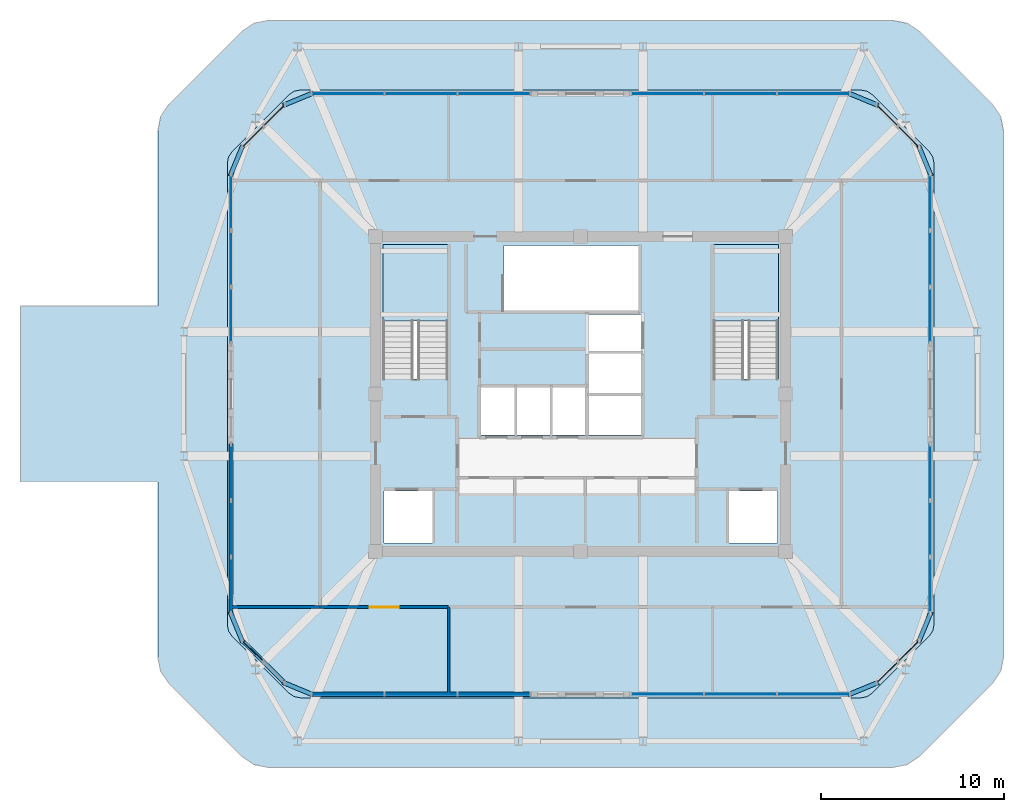
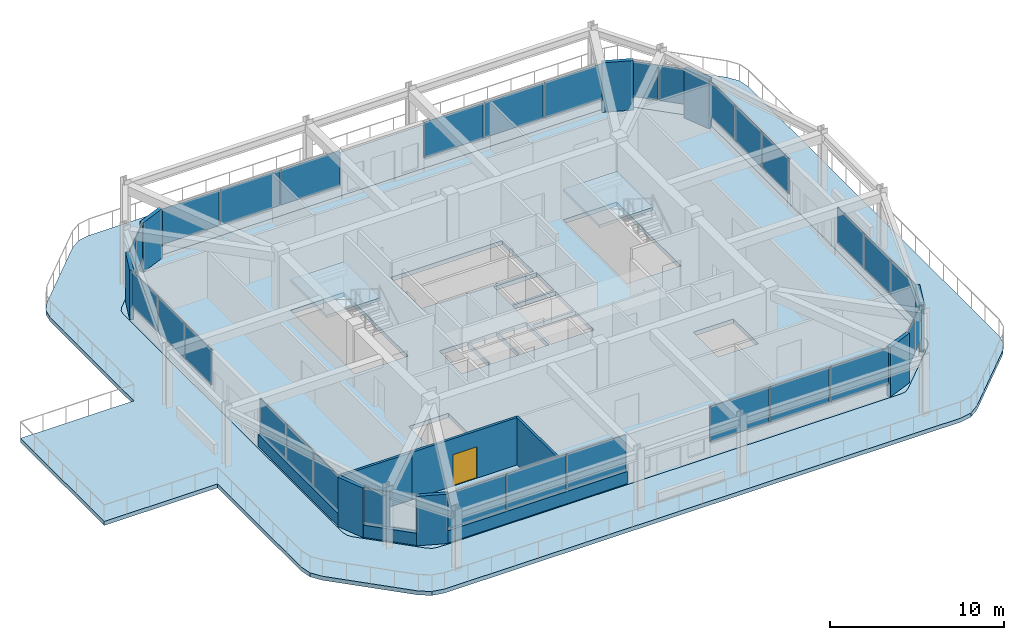
# One storey, part 4 of 10: 39 plates, 6 walls, 4 slabs, 1 door, 1 opening, 14 elements without a shape of their own.
"""IFC4 building model written with IfcOpenShell, lengths in metres."""

from ifc_helpers import new_model, si_unit, derived_unit, direction, frame, frame_2d, origin, origin_2d, place, context, subcontext, project, spatial, polyline, rectangle, outline, extrude, material, layer, layer_set, type_object, element, fill, aggregate, save


model = new_model("IFC4")

# Units and contexts
model_context = context("Model", 3, precision=1e-05, world=origin(), true_north=direction((0.0, 1.0)))
body_context = subcontext(model_context, "Body", "Model", "MODEL_VIEW")
ifc_project = project(units=[si_unit("LENGTHUNIT", "METRE"), si_unit("AREAUNIT", "SQUARE_METRE"), si_unit("VOLUMEUNIT", "CUBIC_METRE"), si_unit("PLANEANGLEUNIT", "RADIAN"), si_unit("MASSUNIT", "GRAM", prefix="KILO"), derived_unit("THERMALTRANSMITTANCEUNIT", [(si_unit("POWERUNIT", "WATT"), 1), (si_unit("LENGTHUNIT", "METRE"), -2), (si_unit("THERMODYNAMICTEMPERATUREUNIT", "KELVIN"), -1)])], contexts=[model_context])

# Site, building, storey
site_placement = place(None, origin())
site = spatial("IfcSite", under=ifc_project, at=site_placement, CompositionType="ELEMENT")
building_placement = place(site_placement, origin())
building = spatial("IfcBuilding", under=site, at=building_placement, Name="Koralith Skygarden Medical Center", CompositionType="ELEMENT")
storey_placement = place(building_placement, frame((0.0, 0.0, 294.659912109375)))
storey = spatial("IfcBuildingStorey", under=building, at=storey_placement, Name="L76", CompositionType="ELEMENT", Elevation=294.659912109375)

# Curtain wall, plates
ifc_material_1 = material(Name="Clear Laminated Glass", Category="glass")
curtain_wall_type = type_object("IfcCurtainWallType", Name="CW-8 Crown Lookout Low-Iron Curtain Wall", PredefinedType="NOTDEFINED", material=ifc_material_1)
curtain_wall_1_placement = place(storey_placement, origin())
curtain_wall_1 = element("IfcCurtainWall", 1, at=curtain_wall_1_placement, inside=storey, type_object=curtain_wall_type, Name="Curtain Wall CW-L76-S-L", PredefinedType="NOTDEFINED")
ifc_layer_1 = layer(ifc_material_1, 0.0439453125)
ifc_layer_set_1 = layer_set([ifc_layer_1], Name="Clear Laminated Glass")
plate_type_1 = type_object("IfcPlateType", Name="CW-8 Hurricane Laminated IGU Panel 44", PredefinedType="CURTAIN_PANEL", material=ifc_layer_set_1)
plate_1_placement = place(storey_placement, frame((24.287109375, 9.5, 0.919921875), z_axis=(0.0, 0.0, 1.0), x_axis=(1.0, 0.0, 0.0)))
plate_1 = element("IfcPlate", 2, at=plate_1_placement, type_object=plate_type_1, Name="CW-L76-S-L Glazed Panel 1", PredefinedType="CURTAIN_PANEL", context=body_context, shape_type="SweptSolid", body=[
    extrude(rectangle(XDim=3.89892578125, YDim=0.0439453125, at=origin_2d()), origin(), (0.0, 0.0, 1.0), 2.469970703125),
])
plate_2_placement = place(storey_placement, frame((28.27587890625, 9.5, 0.919921875), z_axis=(0.0, 0.0, 1.0), x_axis=(1.0, 0.0, 0.0)))
plate_2 = element("IfcPlate", 3, at=plate_2_placement, type_object=plate_type_1, Name="CW-L76-S-L Glazed Panel 2", PredefinedType="CURTAIN_PANEL", context=body_context, shape_type="SweptSolid", body=[
    extrude(rectangle(XDim=3.89892578125, YDim=0.0439453125, at=origin_2d()), origin(), (0.0, 0.0, 1.0), 2.469970703125),
])
plate_3_placement = place(storey_placement, frame((32.264892578125, 9.5, 0.919921875), z_axis=(0.0, 0.0, 1.0), x_axis=(1.0, 0.0, 0.0)))
plate_3 = element("IfcPlate", 4, at=plate_3_placement, type_object=plate_type_1, Name="CW-L76-S-L Glazed Panel 3", PredefinedType="CURTAIN_PANEL", context=body_context, shape_type="SweptSolid", body=[
    extrude(rectangle(XDim=3.89892578125, YDim=0.0439453125, at=origin_2d()), origin(), (0.0, 0.0, 1.0), 2.469970703125),
])
aggregate(curtain_wall_1, [plate_1, plate_2, plate_3])

curtain_wall_2_placement = place(storey_placement, origin())
curtain_wall_2 = element("IfcCurtainWall", 5, at=curtain_wall_2_placement, inside=storey, type_object=curtain_wall_type, Name="Curtain Wall CW-L76-S-R", PredefinedType="NOTDEFINED")
plate_4_placement = place(storey_placement, frame((41.735107421875, 9.5, 0.919921875), z_axis=(0.0, 0.0, 1.0), x_axis=(1.0, 0.0, 0.0)))
plate_4 = element("IfcPlate", 6, at=plate_4_placement, type_object=plate_type_1, Name="CW-L76-S-R Glazed Panel 1", PredefinedType="CURTAIN_PANEL", context=body_context, shape_type="SweptSolid", body=[
    extrude(rectangle(XDim=3.89892578125, YDim=0.0439453125, at=origin_2d()), origin(), (0.0, 0.0, 1.0), 2.469970703125),
])
plate_5_placement = place(storey_placement, frame((45.72412109375, 9.5, 0.919921875), z_axis=(0.0, 0.0, 1.0), x_axis=(1.0, 0.0, 0.0)))
plate_5 = element("IfcPlate", 7, at=plate_5_placement, type_object=plate_type_1, Name="CW-L76-S-R Glazed Panel 2", PredefinedType="CURTAIN_PANEL", context=body_context, shape_type="SweptSolid", body=[
    extrude(rectangle(XDim=3.89892578125, YDim=0.0439453125, at=origin_2d()), origin(), (0.0, 0.0, 1.0), 2.469970703125),
])
plate_6_placement = place(storey_placement, frame((49.7119140625, 9.5, 0.919921875), z_axis=(0.0, 0.0, 1.0), x_axis=(1.0, 0.0, 0.0)))
plate_6 = element("IfcPlate", 8, at=plate_6_placement, type_object=plate_type_1, Name="CW-L76-S-R Glazed Panel 3", PredefinedType="CURTAIN_PANEL", context=body_context, shape_type="SweptSolid", body=[
    extrude(rectangle(XDim=3.89892578125, YDim=0.0439453125, at=origin_2d()), origin(), (0.0, 0.0, 1.0), 2.469970703125),
])
aggregate(curtain_wall_2, [plate_4, plate_5, plate_6])

curtain_wall_3_placement = place(storey_placement, origin())
curtain_wall_3 = element("IfcCurtainWall", 9, at=curtain_wall_3_placement, inside=storey, type_object=curtain_wall_type, Name="Curtain Wall CW-L76-SE", PredefinedType="NOTDEFINED")
plate_7_placement = place(storey_placement, frame((53.742919921875, 10.68603515625, 0.919921875), z_axis=(0.0, 0.0, 1.0), x_axis=(0.707106781187, 0.707106781187, 0.0)))
plate_7 = element("IfcPlate", 10, at=plate_7_placement, type_object=plate_type_1, Name="CW-L76-SE Glazed Panel 1", PredefinedType="CURTAIN_PANEL", context=body_context, shape_type="SweptSolid", body=[
    extrude(rectangle(XDim=1.56494140625, YDim=0.0439453125, at=origin_2d()), origin(), (0.0, 0.0, 1.0), 2.469970703125),
])
plate_8_placement = place(storey_placement, frame((54.9140625, 11.85693359375, 0.919921875), z_axis=(0.0, 0.0, 1.0), x_axis=(0.707106781187, 0.707106781187, 0.0)))
plate_8 = element("IfcPlate", 11, at=plate_8_placement, type_object=plate_type_1, Name="CW-L76-SE Glazed Panel 2", PredefinedType="CURTAIN_PANEL", context=body_context, shape_type="SweptSolid", body=[
    extrude(rectangle(XDim=1.56494140625, YDim=0.0439453125, at=origin_2d()), origin(), (0.0, 0.0, 1.0), 2.469970703125),
])
aggregate(curtain_wall_3, [plate_7, plate_8])

curtain_wall_4_placement = place(storey_placement, origin())
curtain_wall_4 = element("IfcCurtainWall", 12, at=curtain_wall_4_placement, inside=storey, type_object=curtain_wall_type, Name="Curtain Wall CW-L76-E-L", PredefinedType="NOTDEFINED")
plate_9_placement = place(storey_placement, frame((56.10009765625, 15.43798828125, 0.919921875), z_axis=(0.0, 0.0, 1.0), x_axis=(0.0, 1.0, 0.0)))
plate_9 = element("IfcPlate", 13, at=plate_9_placement, type_object=plate_type_1, Name="CW-L76-E-L Glazed Panel 1", PredefinedType="CURTAIN_PANEL", context=body_context, shape_type="SweptSolid", body=[
    extrude(rectangle(XDim=2.9990234375, YDim=0.0439453125, at=origin_2d()), origin(), (0.0, 0.0, 1.0), 2.469970703125),
])
plate_10_placement = place(storey_placement, frame((56.10009765625, 18.52587890625, 0.919921875), z_axis=(0.0, 0.0, 1.0), x_axis=(0.0, 1.0, 0.0)))
plate_10 = element("IfcPlate", 14, at=plate_10_placement, type_object=plate_type_1, Name="CW-L76-E-L Glazed Panel 2", PredefinedType="CURTAIN_PANEL", context=body_context, shape_type="SweptSolid", body=[
    extrude(rectangle(XDim=2.9990234375, YDim=0.0439453125, at=origin_2d()), origin(), (0.0, 0.0, 1.0), 2.469970703125),
])
plate_11_placement = place(storey_placement, frame((56.10009765625, 21.615966796875, 0.919921875), z_axis=(0.0, 0.0, 1.0), x_axis=(0.0, 1.0, 0.0)))
plate_11 = element("IfcPlate", 15, at=plate_11_placement, type_object=plate_type_1, Name="CW-L76-E-L Glazed Panel 3", PredefinedType="CURTAIN_PANEL", context=body_context, shape_type="SweptSolid", body=[
    extrude(rectangle(XDim=2.9990234375, YDim=0.0439453125, at=origin_2d()), origin(), (0.0, 0.0, 1.0), 2.469970703125),
])
aggregate(curtain_wall_4, [plate_9, plate_10, plate_11])

curtain_wall_5_placement = place(storey_placement, origin())
curtain_wall_5 = element("IfcCurtainWall", 16, at=curtain_wall_5_placement, inside=storey, type_object=curtain_wall_type, Name="Curtain Wall CW-L76-E-R", PredefinedType="NOTDEFINED")
plate_12_placement = place(storey_placement, frame((56.10009765625, 30.18408203125, 0.919921875), z_axis=(0.0, 0.0, 1.0), x_axis=(0.0, 1.0, 0.0)))
plate_12 = element("IfcPlate", 17, at=plate_12_placement, type_object=plate_type_1, Name="CW-L76-E-R Glazed Panel 1", PredefinedType="CURTAIN_PANEL", context=body_context, shape_type="SweptSolid", body=[
    extrude(rectangle(XDim=2.9990234375, YDim=0.0439453125, at=origin_2d()), origin(), (0.0, 0.0, 1.0), 2.469970703125),
])
plate_13_placement = place(storey_placement, frame((56.10009765625, 33.27294921875, 0.919921875), z_axis=(0.0, 0.0, 1.0), x_axis=(0.0, 1.0, 0.0)))
plate_13 = element("IfcPlate", 18, at=plate_13_placement, type_object=plate_type_1, Name="CW-L76-E-R Glazed Panel 2", PredefinedType="CURTAIN_PANEL", context=body_context, shape_type="SweptSolid", body=[
    extrude(rectangle(XDim=2.9990234375, YDim=0.0439453125, at=origin_2d()), origin(), (0.0, 0.0, 1.0), 2.469970703125),
])
plate_14_placement = place(storey_placement, frame((56.10009765625, 36.362060546875, 0.919921875), z_axis=(0.0, 0.0, 1.0), x_axis=(0.0, 1.0, 0.0)))
plate_14 = element("IfcPlate", 19, at=plate_14_placement, type_object=plate_type_1, Name="CW-L76-E-R Glazed Panel 3", PredefinedType="CURTAIN_PANEL", context=body_context, shape_type="SweptSolid", body=[
    extrude(rectangle(XDim=2.9990234375, YDim=0.0439453125, at=origin_2d()), origin(), (0.0, 0.0, 1.0), 2.469970703125),
])
aggregate(curtain_wall_5, [plate_12, plate_13, plate_14])

curtain_wall_6_placement = place(storey_placement, origin())
curtain_wall_6 = element("IfcCurtainWall", 20, at=curtain_wall_6_placement, inside=storey, type_object=curtain_wall_type, Name="Curtain Wall CW-L76-NE", PredefinedType="NOTDEFINED")
plate_15_placement = place(storey_placement, frame((54.9140625, 39.943115234375, 0.919921875), z_axis=(0.0, 0.0, 1.0), x_axis=(-0.707106781187, 0.707106781187, 0.0)))
plate_15 = element("IfcPlate", 21, at=plate_15_placement, type_object=plate_type_1, Name="CW-L76-NE Glazed Panel 1", PredefinedType="CURTAIN_PANEL", context=body_context, shape_type="SweptSolid", body=[
    extrude(rectangle(XDim=1.56494140625, YDim=0.0439453125, at=origin_2d()), origin(), (0.0, 0.0, 1.0), 2.469970703125),
])
plate_16_placement = place(storey_placement, frame((53.742919921875, 41.114013671875, 0.919921875), z_axis=(0.0, 0.0, 1.0), x_axis=(-0.707106781187, 0.707106781187, 0.0)))
plate_16 = element("IfcPlate", 22, at=plate_16_placement, type_object=plate_type_1, Name="CW-L76-NE Glazed Panel 2", PredefinedType="CURTAIN_PANEL", context=body_context, shape_type="SweptSolid", body=[
    extrude(rectangle(XDim=1.56494140625, YDim=0.0439453125, at=origin_2d()), origin(), (0.0, 0.0, 1.0), 2.469970703125),
])
aggregate(curtain_wall_6, [plate_15, plate_16])

curtain_wall_7_placement = place(storey_placement, origin())
curtain_wall_7 = element("IfcCurtainWall", 23, at=curtain_wall_7_placement, inside=storey, type_object=curtain_wall_type, Name="Curtain Wall CW-L76-N-L", PredefinedType="NOTDEFINED")
plate_17_placement = place(storey_placement, frame((49.7119140625, 42.300048828125, 0.919921875), z_axis=(0.0, 0.0, 1.0), x_axis=(-1.0, 0.0, 0.0)))
plate_17 = element("IfcPlate", 24, at=plate_17_placement, type_object=plate_type_1, Name="CW-L76-N-L Glazed Panel 1", PredefinedType="CURTAIN_PANEL", context=body_context, shape_type="SweptSolid", body=[
    extrude(rectangle(XDim=3.89892578125, YDim=0.0439453125, at=origin_2d()), origin(), (0.0, 0.0, 1.0), 2.469970703125),
])
plate_18_placement = place(storey_placement, frame((45.72412109375, 42.300048828125, 0.919921875), z_axis=(0.0, 0.0, 1.0), x_axis=(-1.0, 0.0, 0.0)))
plate_18 = element("IfcPlate", 25, at=plate_18_placement, type_object=plate_type_1, Name="CW-L76-N-L Glazed Panel 2", PredefinedType="CURTAIN_PANEL", context=body_context, shape_type="SweptSolid", body=[
    extrude(rectangle(XDim=3.89892578125, YDim=0.0439453125, at=origin_2d()), origin(), (0.0, 0.0, 1.0), 2.469970703125),
])
plate_19_placement = place(storey_placement, frame((41.735107421875, 42.300048828125, 0.919921875), z_axis=(0.0, 0.0, 1.0), x_axis=(-1.0, 0.0, 0.0)))
plate_19 = element("IfcPlate", 26, at=plate_19_placement, type_object=plate_type_1, Name="CW-L76-N-L Glazed Panel 3", PredefinedType="CURTAIN_PANEL", context=body_context, shape_type="SweptSolid", body=[
    extrude(rectangle(XDim=3.89892578125, YDim=0.0439453125, at=origin_2d()), origin(), (0.0, 0.0, 1.0), 2.469970703125),
])
aggregate(curtain_wall_7, [plate_17, plate_18, plate_19])

curtain_wall_8_placement = place(storey_placement, origin())
curtain_wall_8 = element("IfcCurtainWall", 27, at=curtain_wall_8_placement, inside=storey, type_object=curtain_wall_type, Name="Curtain Wall CW-L76-N-R", PredefinedType="NOTDEFINED")
plate_20_placement = place(storey_placement, frame((32.264892578125, 42.300048828125, 0.919921875), z_axis=(0.0, 0.0, 1.0), x_axis=(-1.0, 0.0, 0.0)))
plate_20 = element("IfcPlate", 28, at=plate_20_placement, type_object=plate_type_1, Name="CW-L76-N-R Glazed Panel 1", PredefinedType="CURTAIN_PANEL", context=body_context, shape_type="SweptSolid", body=[
    extrude(rectangle(XDim=3.89892578125, YDim=0.0439453125, at=origin_2d()), origin(), (0.0, 0.0, 1.0), 2.469970703125),
])
plate_21_placement = place(storey_placement, frame((28.27587890625, 42.300048828125, 0.919921875), z_axis=(0.0, 0.0, 1.0), x_axis=(-1.0, 0.0, 0.0)))
plate_21 = element("IfcPlate", 29, at=plate_21_placement, type_object=plate_type_1, Name="CW-L76-N-R Glazed Panel 2", PredefinedType="CURTAIN_PANEL", context=body_context, shape_type="SweptSolid", body=[
    extrude(rectangle(XDim=3.89892578125, YDim=0.0439453125, at=origin_2d()), origin(), (0.0, 0.0, 1.0), 2.469970703125),
])
plate_22_placement = place(storey_placement, frame((24.2880859375, 42.300048828125, 0.919921875), z_axis=(0.0, 0.0, 1.0), x_axis=(-1.0, 0.0, 0.0)))
plate_22 = element("IfcPlate", 30, at=plate_22_placement, type_object=plate_type_1, Name="CW-L76-N-R Glazed Panel 3", PredefinedType="CURTAIN_PANEL", context=body_context, shape_type="SweptSolid", body=[
    extrude(rectangle(XDim=3.89892578125, YDim=0.0439453125, at=origin_2d()), origin(), (0.0, 0.0, 1.0), 2.469970703125),
])
aggregate(curtain_wall_8, [plate_20, plate_21, plate_22])

curtain_wall_9_placement = place(storey_placement, origin())
curtain_wall_9 = element("IfcCurtainWall", 31, at=curtain_wall_9_placement, inside=storey, type_object=curtain_wall_type, Name="Curtain Wall CW-L76-NW", PredefinedType="NOTDEFINED")
plate_23_placement = place(storey_placement, frame((20.257080078125, 41.114013671875, 0.919921875), z_axis=(0.0, 0.0, 1.0), x_axis=(-0.707106781187, -0.707106781187, 0.0)))
plate_23 = element("IfcPlate", 32, at=plate_23_placement, type_object=plate_type_1, Name="CW-L76-NW Glazed Panel 1", PredefinedType="CURTAIN_PANEL", context=body_context, shape_type="SweptSolid", body=[
    extrude(rectangle(XDim=1.56494140625, YDim=0.0439453125, at=origin_2d()), origin(), (0.0, 0.0, 1.0), 2.469970703125),
])
plate_24_placement = place(storey_placement, frame((19.0859375, 39.943115234375, 0.919921875), z_axis=(0.0, 0.0, 1.0), x_axis=(-0.707106781187, -0.707106781187, 0.0)))
plate_24 = element("IfcPlate", 33, at=plate_24_placement, type_object=plate_type_1, Name="CW-L76-NW Glazed Panel 2", PredefinedType="CURTAIN_PANEL", context=body_context, shape_type="SweptSolid", body=[
    extrude(rectangle(XDim=1.56494140625, YDim=0.0439453125, at=origin_2d()), origin(), (0.0, 0.0, 1.0), 2.469970703125),
])
aggregate(curtain_wall_9, [plate_23, plate_24])

curtain_wall_10_placement = place(storey_placement, origin())
curtain_wall_10 = element("IfcCurtainWall", 34, at=curtain_wall_10_placement, inside=storey, type_object=curtain_wall_type, Name="Curtain Wall CW-L76-W-L", PredefinedType="NOTDEFINED")
plate_25_placement = place(storey_placement, frame((17.89990234375, 36.362060546875, 0.919921875), z_axis=(0.0, 0.0, 1.0), x_axis=(0.0, -1.0, 0.0)))
plate_25 = element("IfcPlate", 35, at=plate_25_placement, type_object=plate_type_1, Name="CW-L76-W-L Glazed Panel 1", PredefinedType="CURTAIN_PANEL", context=body_context, shape_type="SweptSolid", body=[
    extrude(rectangle(XDim=2.9990234375, YDim=0.0439453125, at=origin_2d()), origin(), (0.0, 0.0, 1.0), 2.469970703125),
])
plate_26_placement = place(storey_placement, frame((17.89990234375, 33.27294921875, 0.919921875), z_axis=(0.0, 0.0, 1.0), x_axis=(0.0, -1.0, 0.0)))
plate_26 = element("IfcPlate", 36, at=plate_26_placement, type_object=plate_type_1, Name="CW-L76-W-L Glazed Panel 2", PredefinedType="CURTAIN_PANEL", context=body_context, shape_type="SweptSolid", body=[
    extrude(rectangle(XDim=2.9990234375, YDim=0.0439453125, at=origin_2d()), origin(), (0.0, 0.0, 1.0), 2.469970703125),
])
plate_27_placement = place(storey_placement, frame((17.89990234375, 30.18408203125, 0.919921875), z_axis=(0.0, 0.0, 1.0), x_axis=(0.0, -1.0, 0.0)))
plate_27 = element("IfcPlate", 37, at=plate_27_placement, type_object=plate_type_1, Name="CW-L76-W-L Glazed Panel 3", PredefinedType="CURTAIN_PANEL", context=body_context, shape_type="SweptSolid", body=[
    extrude(rectangle(XDim=2.9990234375, YDim=0.0439453125, at=origin_2d()), origin(), (0.0, 0.0, 1.0), 2.469970703125),
])
aggregate(curtain_wall_10, [plate_25, plate_26, plate_27])

curtain_wall_11_placement = place(storey_placement, origin())
curtain_wall_11 = element("IfcCurtainWall", 38, at=curtain_wall_11_placement, inside=storey, type_object=curtain_wall_type, Name="Curtain Wall CW-L76-W-R", PredefinedType="NOTDEFINED")
plate_28_placement = place(storey_placement, frame((17.89990234375, 21.615966796875, 0.919921875), z_axis=(0.0, 0.0, 1.0), x_axis=(0.0, -1.0, 0.0)))
plate_28 = element("IfcPlate", 39, at=plate_28_placement, type_object=plate_type_1, Name="CW-L76-W-R Glazed Panel 1", PredefinedType="CURTAIN_PANEL", context=body_context, shape_type="SweptSolid", body=[
    extrude(rectangle(XDim=2.9990234375, YDim=0.0439453125, at=origin_2d()), origin(), (0.0, 0.0, 1.0), 2.469970703125),
])
plate_29_placement = place(storey_placement, frame((17.89990234375, 18.52587890625, 0.919921875), z_axis=(0.0, 0.0, 1.0), x_axis=(0.0, -1.0, 0.0)))
plate_29 = element("IfcPlate", 40, at=plate_29_placement, type_object=plate_type_1, Name="CW-L76-W-R Glazed Panel 2", PredefinedType="CURTAIN_PANEL", context=body_context, shape_type="SweptSolid", body=[
    extrude(rectangle(XDim=2.9990234375, YDim=0.0439453125, at=origin_2d()), origin(), (0.0, 0.0, 1.0), 2.469970703125),
])
plate_30_placement = place(storey_placement, frame((17.89990234375, 15.43798828125, 0.919921875), z_axis=(0.0, 0.0, 1.0), x_axis=(0.0, -1.0, 0.0)))
plate_30 = element("IfcPlate", 41, at=plate_30_placement, type_object=plate_type_1, Name="CW-L76-W-R Glazed Panel 3", PredefinedType="CURTAIN_PANEL", context=body_context, shape_type="SweptSolid", body=[
    extrude(rectangle(XDim=2.9990234375, YDim=0.0439453125, at=origin_2d()), origin(), (0.0, 0.0, 1.0), 2.469970703125),
])
aggregate(curtain_wall_11, [plate_28, plate_29, plate_30])

# Curtain wall, plate
curtain_wall_12_placement = place(storey_placement, origin())
curtain_wall_12 = element("IfcCurtainWall", 42, at=curtain_wall_12_placement, inside=storey, type_object=curtain_wall_type, Name="Curtain Wall CW-L76-SW", PredefinedType="NOTDEFINED")
plate_31_placement = place(storey_placement, frame((19.0859375, 11.85693359375, 0.919921875), z_axis=(0.0, 0.0, 1.0), x_axis=(0.707106781187, -0.707106781187, 0.0)))
plate_31 = element("IfcPlate", 43, at=plate_31_placement, type_object=plate_type_1, Name="CW-L76-SW Glazed Panel 1", PredefinedType="CURTAIN_PANEL", context=body_context, shape_type="SweptSolid", body=[
    extrude(rectangle(XDim=1.56494140625, YDim=0.0439453125, at=origin_2d()), origin(), (0.0, 0.0, 1.0), 2.469970703125),
])
aggregate(curtain_wall_12, [plate_31])

# Stair, slab
ifc_material_2 = material(Name="Concrete C45/55", Category="concrete")
stair_type = type_object("IfcStairType", Name="Core Exit Dogleg Concrete Stair", PredefinedType="HALF_TURN_STAIR", material=ifc_material_2)
stair_1_placement = place(storey_placement, origin())
stair_1 = element("IfcStair", 44, at=stair_1_placement, inside=storey, type_object=stair_type, Name="L76 Smokeproof Exit Stair ST1", PredefinedType="HALF_TURN_STAIR")
ifc_layer_2 = layer(ifc_material_2, 0.199951171875)
ifc_layer_set_2 = layer_set([ifc_layer_2], Name="Concrete C45/55")
slab_type_1 = type_object("IfcSlabType", Name="Core Exit Concrete Stair Landing 200", PredefinedType="LANDING", material=ifc_layer_set_2)
slab_1_placement = place(storey_placement, frame((0.0, 0.0, 1.960205078125)))
slab_1 = element("IfcSlab", 45, at=slab_1_placement, type_object=slab_type_1, Name="ST1 landing 1", PredefinedType="LANDING", context=body_context, shape_type="SweptSolid", body=[
    extrude(outline(polyline([(29.75, 29.889892578125), (29.75, 34.050048828125), (26.199951171875, 34.050048828125), (26.199951171875, 29.889892578125), (29.75, 29.889892578125)])), origin(), (0.0, 0.0, 1.0), 0.199951171875),
])
aggregate(stair_1, [slab_1])

stair_2_placement = place(storey_placement, origin())
stair_2 = element("IfcStair", 46, at=stair_2_placement, inside=storey, type_object=stair_type, Name="L76 Smokeproof Exit Stair ST2", PredefinedType="HALF_TURN_STAIR")
slab_2_placement = place(storey_placement, frame((0.0, 0.0, 1.960205078125)))
slab_2 = element("IfcSlab", 47, at=slab_2_placement, type_object=slab_type_1, Name="ST2 landing 1", PredefinedType="LANDING", context=body_context, shape_type="SweptSolid", body=[
    extrude(outline(polyline([(47.800048828125, 29.889892578125), (47.800048828125, 34.050048828125), (44.25, 34.050048828125), (44.25, 29.889892578125), (47.800048828125, 29.889892578125)])), origin(), (0.0, 0.0, 1.0), 0.199951171875),
])
aggregate(stair_2, [slab_2])

# Slabs
ifc_layer_3 = layer(ifc_material_2, 0.280029296875)
ifc_layer_set_3 = layer_set([ifc_layer_3], Name="Concrete C45/55")
slab_type_2 = type_object("IfcSlabType", Name="Observation Deck Outdoor Terrace Slab 280", PredefinedType="FLOOR", material=ifc_layer_set_3)
slab_3_placement = place(storey_placement, frame((0.0, 0.0, -0.280029296875)))
element("IfcSlab", 48, at=slab_3_placement, inside=storey, type_object=slab_type_2, Name="L76 Outdoor Observation Deck and Lookout Terrace", PredefinedType="FLOOR", context=body_context, shape_type="SweptSolid", body=[
    extrude(outline(polyline([(6.39990234375, 30.699951171875), (13.89990234375, 30.699951171875), (13.89990234375, 40.27197265625), (14.052001953125, 41.037109375), (14.486083984375, 41.68603515625), (18.513916015625, 45.714111328125), (19.1630859375, 46.14794921875), (19.927978515625, 46.300048828125), (54.072021484375, 46.300048828125), (54.8369140625, 46.14794921875), (55.486083984375, 45.714111328125), (59.513916015625, 41.68603515625), (59.947998046875, 41.037109375), (60.10009765625, 40.27197265625), (60.10009765625, 11.528076171875), (59.947998046875, 10.762939453125), (59.513916015625, 10.114013671875), (55.486083984375, 6.0859375), (54.8369140625, 5.652099609375), (54.072021484375, 5.5), (19.927978515625, 5.5), (19.1630859375, 5.652099609375), (18.513916015625, 6.0859375), (14.486083984375, 10.114013671875), (14.052001953125, 10.762939453125), (13.89990234375, 11.528076171875), (13.89990234375, 21.10009765625), (6.39990234375, 21.10009765625), (6.39990234375, 30.699951171875)]), holes=[polyline([(21.35302734375, 9.364990234375), (21.681884765625, 9.300048828125), (52.318115234375, 9.300048828125), (52.64697265625, 9.364990234375), (52.926025390625, 9.552001953125), (56.048095703125, 12.674072265625), (56.235107421875, 12.952880859375), (56.300048828125, 13.281982421875), (56.300048828125, 38.51806640625), (56.235107421875, 38.846923828125), (56.048095703125, 39.1259765625), (52.926025390625, 42.248046875), (52.64697265625, 42.43505859375), (52.318115234375, 42.5), (21.681884765625, 42.5), (21.35302734375, 42.43505859375), (21.073974609375, 42.248046875), (17.951904296875, 39.1259765625), (17.764892578125, 38.846923828125), (17.699951171875, 38.51806640625), (17.699951171875, 13.281982421875), (17.764892578125, 12.952880859375), (17.951904296875, 12.674072265625), (21.073974609375, 9.552001953125), (21.35302734375, 9.364990234375)])]), origin(), (0.0, 0.0, 1.0), 0.280029296875),
])
ifc_layer_4 = layer(ifc_material_2, 0.300048828125)
ifc_layer_set_4 = layer_set([ifc_layer_4], Name="Concrete C45/55")
slab_type_3 = type_object("IfcSlabType", Name="Podium & Diagnostic Stiffened Slab 300", PredefinedType="FLOOR", material=ifc_layer_set_4)
slab_4_placement = place(storey_placement, frame((0.0, 0.0, -0.2998046875)))
element("IfcSlab", 49, at=slab_4_placement, inside=storey, type_object=slab_type_3, Name="Level L76 Structural Floor Slab", PredefinedType="FLOOR", context=body_context, shape_type="SweptSolid", body=[
    extrude(outline(polyline([(21.073974609375, 9.552001953125), (21.35302734375, 9.364990234375), (21.681884765625, 9.300048828125), (52.318115234375, 9.300048828125), (52.64697265625, 9.364990234375), (52.926025390625, 9.552001953125), (56.048095703125, 12.674072265625), (56.235107421875, 12.952880859375), (56.300048828125, 13.281982421875), (56.300048828125, 38.51806640625), (56.235107421875, 38.846923828125), (56.048095703125, 39.1259765625), (52.926025390625, 42.248046875), (52.64697265625, 42.43505859375), (52.318115234375, 42.5), (21.681884765625, 42.5), (21.35302734375, 42.43505859375), (21.073974609375, 42.248046875), (17.951904296875, 39.1259765625), (17.764892578125, 38.846923828125), (17.699951171875, 38.51806640625), (17.699951171875, 13.281982421875), (17.764892578125, 12.952880859375), (17.951904296875, 12.674072265625), (21.073974609375, 9.552001953125)]), holes=[polyline([(26.199951171875, 26.705078125), (29.75, 26.705078125), (29.75, 34.050048828125), (26.199951171875, 34.050048828125), (26.199951171875, 26.705078125)]), polyline([(44.25, 26.705078125), (47.800048828125, 26.705078125), (47.800048828125, 34.050048828125), (44.25, 34.050048828125), (44.25, 26.705078125)]), polyline([(32.804931640625, 30.449951171875), (40.199951171875, 30.449951171875), (40.199951171875, 34.0), (32.804931640625, 34.0), (32.804931640625, 30.449951171875)]), polyline([(26.25, 17.75), (28.89990234375, 17.75), (28.89990234375, 20.60009765625), (26.25, 20.60009765625), (26.25, 17.75)]), polyline([(45.10009765625, 17.75), (47.75, 17.75), (47.75, 20.60009765625), (45.10009765625, 20.60009765625), (45.10009765625, 17.75)]), polyline([(31.550048828125, 23.64990234375), (33.39990234375, 23.64990234375), (33.39990234375, 26.25), (31.550048828125, 26.25), (31.550048828125, 23.64990234375)]), polyline([(33.5, 23.64990234375), (35.35009765625, 23.64990234375), (35.35009765625, 26.25), (33.5, 26.25), (33.5, 23.64990234375)]), polyline([(35.449951171875, 23.64990234375), (37.300048828125, 23.64990234375), (37.300048828125, 26.25), (35.449951171875, 26.25), (35.449951171875, 23.64990234375)]), polyline([(37.449951171875, 23.64990234375), (40.300048828125, 23.64990234375), (40.300048828125, 25.800048828125), (37.449951171875, 25.800048828125), (37.449951171875, 23.64990234375)]), polyline([(37.449951171875, 25.949951171875), (40.300048828125, 25.949951171875), (40.300048828125, 28.10009765625), (37.449951171875, 28.10009765625), (37.449951171875, 25.949951171875)]), polyline([(37.449951171875, 28.25), (40.300048828125, 28.25), (40.300048828125, 30.25), (37.449951171875, 30.25), (37.449951171875, 28.25)])]), origin(), (0.0, 0.0, 1.0), 0.2998046875),
])

# Plates
ifc_material_3 = material(Name="Warm Oolitic Limestone Cladding", Category="masonry")
ifc_layer_5 = layer(ifc_material_3, 0.239990234375)
ifc_layer_set_5 = layer_set([ifc_layer_5], Name="Warm Oolitic Limestone Cladding")
plate_type_2 = type_object("IfcPlateType", Name="Rounded-Corner Oolitic Limestone Cladding Panel 240", PredefinedType="USERDEFINED", material=ifc_layer_set_5)
for number, where, z_axis, x_axis, name in (
    (50, (52.43310546875, 9.800048828125, 0.0), (0.0, 0.0, 1.0), (0.92388487569, 0.382670532536, 0.0), "L76 Rounded-Corner Limestone Pier 1"),
    (51, (55.800048828125, 13.16796875, 0.0), (0.0, 0.0, 1.0), (0.382670532536, 0.92388487569, 0.0), "L76 Rounded-Corner Limestone Pier 2"),
    (52, (55.800048828125, 38.632080078125, 0.0), (0.0, 0.0, 1.0), (-0.382670532536, 0.92388487569, 0.0), "L76 Rounded-Corner Limestone Pier 3"),
    (53, (52.43310546875, 41.9990234375, 0.0), (0.0, 0.0, 1.0), (-0.92388487569, 0.382670532536, 0.0), "L76 Rounded-Corner Limestone Pier 4"),
    (54, (21.56689453125, 41.9990234375, 0.0), (0.0, 0.0, 1.0), (-0.92388487569, -0.382670532536, 0.0), "L76 Rounded-Corner Limestone Pier 5"),
    (55, (18.199951171875, 38.632080078125, 0.0), (0.0, 0.0, 1.0), (-0.382670532536, -0.92388487569, 0.0), "L76 Rounded-Corner Limestone Pier 6"),
    (56, (18.199951171875, 13.16796875, 0.0), (0.0, 0.0, 1.0), (0.382670532536, -0.92388487569, 0.0), "L76 Rounded-Corner Limestone Pier 7"),
    (57, (21.56689453125, 9.800048828125, 0.0), (0.0, 0.0, 1.0), (0.92388487569, -0.382670532536, 0.0), "L76 Rounded-Corner Limestone Pier 8"),
):
    element("IfcPlate", number, at=place(storey_placement, frame(where, z_axis=z_axis, x_axis=x_axis)), inside=storey, type_object=plate_type_2, Name=name, ObjectType="LIMESTONE CLADDING", PredefinedType="USERDEFINED", context=body_context, shape_type="SweptSolid", body=[
        extrude(rectangle(XDim=1.81103515625, YDim=0.239990234375, at=origin_2d()), origin(), (0.0, 0.0, 1.0), 3.4599609375),
    ])

# Walls
ifc_material_4 = material(Name="Gypsum Board Partition")
ifc_layer_6 = layer(ifc_material_4, 0.14990234375)
ifc_layer_set_6 = layer_set([ifc_layer_6], Name="Gypsum Board Partition")
wall_type_1 = type_object("IfcWallType", Name="Clinical Acoustic Partition 150", PredefinedType="PARTITIONING", material=ifc_layer_set_6)
wall_1_placement = place(storey_placement, frame((29.7880859375, 14.25, 0.0), z_axis=(0.0, 0.0, 1.0), x_axis=(0.0, -1.0, 0.0)))
element("IfcWall", 58, at=wall_1_placement, inside=storey, type_object=wall_type_1, Name="L76 Clinical Acoustic Partition 150 W-CRPART-L76-S-1", PredefinedType="PARTITIONING", context=body_context, shape_type="SweptSolid", body=[
    extrude(rectangle(XDim=4.72998046875, YDim=0.14990234375, at=frame_2d((2.364990234375, 0.0))), origin(), (0.0, 0.0, 1.0), 3.31005859375),
])
ifc_layer_7 = layer(ifc_material_4, 0.1650390625)
ifc_layer_set_7 = layer_set([ifc_layer_7], Name="Gypsum Board Partition")
wall_type_2 = type_object("IfcWallType", Name="Clinical Corridor Partition 165", PredefinedType="PARTITIONING", material=ifc_layer_set_7)
wall_2_placement = place(storey_placement, frame((17.919921875, 14.25, 0.0), z_axis=(0.0, 0.0, 1.0), x_axis=(1.0, 0.0, 0.0)))
element("IfcWall", 59, at=wall_2_placement, inside=storey, type_object=wall_type_2, Name="L76 Clinical Corridor Partition 165 W-WB-L76-SW", PredefinedType="PARTITIONING", context=body_context, shape_type="SweptSolid", body=[
    extrude(rectangle(XDim=4.830078125, YDim=0.1650390625, at=frame_2d((2.4150390625, 0.0))), origin(), (0.0, 0.0, 1.0), 3.31005859375),
])

# Wall, opening, door
wall_3_placement = place(storey_placement, frame((22.75, 14.25, 0.0), z_axis=(0.0, 0.0, 1.0), x_axis=(1.0, 0.0, 0.0)))
wall_3 = element("IfcWall", 60, at=wall_3_placement, inside=storey, type_object=wall_type_2, Name="L76 Clinical Corridor Partition 165 W-CRCOR-L76-S-1", PredefinedType="PARTITIONING", context=body_context, shape_type="SweptSolid", body=[
    extrude(rectangle(XDim=7.0380859375, YDim=0.1650390625, at=frame_2d((3.51904296875, 0.0))), origin(), (0.0, 0.0, 1.0), 3.31005859375),
])
opening_placement = place(wall_3_placement, frame((2.718994140625, 0.0, 0.0)))
opening = element("IfcOpeningElement", 61, at=opening_placement, cuts=wall_3, Name="Opening D-DBL", PredefinedType="OPENING", context=body_context, shape_type="SweptSolid", body=[
    extrude(rectangle(XDim=1.60009765625, YDim=2.199951171875, at=frame_2d((0.800048828125, 1.10009765625))), frame((0.0, 0.092529296875, 0.0), z_axis=(0.0, -1.0, 0.0), x_axis=(1.0, 0.0, 0.0)), (0.0, 0.0, 1.0), 0.18505859375),
])
ifc_material_5 = material(Name="Aluminium 6063-T6", Category="aluminium")
door_type = type_object("IfcDoorType", Name="Double Clinical Suite Door D-DBL 1600", OperationType="NOTDEFINED", PredefinedType="DOOR", material=ifc_material_5)
door_placement = place(opening_placement, frame((1.60009765625, 0.0, 0.0), z_axis=(0.0, 0.0, 1.0), x_axis=(-1.0, 0.0, 0.0)))
door = element("IfcDoor", 62, at=door_placement, inside=storey, type_object=door_type, Name="L76 Executive Telemedicine Consultation Room Door", OperationType="DOUBLE_DOOR_SINGLE_SWING", OverallHeight=2.199951171875, OverallWidth=1.60009765625, PredefinedType="DOOR", context=body_context, shape_type="SweptSolid", body=[
    extrude(rectangle(XDim=1.60009765625, YDim=2.199951171875, at=frame_2d((0.800048828125, 1.10009765625))), frame((0.0, 0.02490234375, 0.0), z_axis=(0.0, -1.0, 0.0), x_axis=(1.0, 0.0, 0.0)), (0.0, 0.0, 1.0), 0.050048828125),
])
fill(opening, door)

# Walls
ifc_layer_8 = layer(ifc_material_3, 0.239990234375)
ifc_layer_set_8 = layer_set([ifc_layer_8], Name="Warm Oolitic Limestone Cladding")
wall_type_3 = type_object("IfcWallType", Name="Limestone Spandrel Sill Backup Wall 240", PredefinedType="SOLIDWALL", material=ifc_layer_set_8)
wall_4_placement = place(storey_placement, frame((22.29296875, 9.5, 0.0), z_axis=(0.0, 0.0, 1.0), x_axis=(1.0, 0.0, 0.0)))
element("IfcWall", 63, at=wall_4_placement, inside=storey, type_object=wall_type_3, Name="L76 Sill Spandrel S-L", PredefinedType="SOLIDWALL", context=body_context, shape_type="SweptSolid", body=[
    extrude(rectangle(XDim=11.967041015625, YDim=0.239990234375, at=frame_2d((5.9833984375, 0.0))), origin(), (0.0, 0.0, 1.0), 0.85009765625),
])
wall_5_placement = place(storey_placement, frame((17.89990234375, 23.159912109375, 0.0), z_axis=(0.0, 0.0, 1.0), x_axis=(0.0, -1.0, 0.0)))
element("IfcWall", 64, at=wall_5_placement, inside=storey, type_object=wall_type_3, Name="L76 Sill Spandrel W-R", PredefinedType="SOLIDWALL", context=body_context, shape_type="SweptSolid", body=[
    extrude(rectangle(XDim=9.266845703125, YDim=0.239990234375, at=frame_2d((4.63330078125, 0.0))), origin(), (0.0, 0.0, 1.0), 0.85009765625),
])
wall_6_placement = place(storey_placement, frame((18.5009765625, 12.44189453125, 0.0), z_axis=(0.0, 0.0, 1.0), x_axis=(0.707143652874, -0.707069907577, 0.0)))
element("IfcWall", 65, at=wall_6_placement, inside=storey, type_object=wall_type_3, Name="L76 Sill Spandrel SW", PredefinedType="SOLIDWALL", context=body_context, shape_type="SweptSolid", body=[
    extrude(rectangle(XDim=3.310546875, YDim=0.239990234375, at=frame_2d((1.6552734375, 0.0))), origin(), (0.0, 0.0, 1.0), 0.85009765625),
])

save(model, "model.ifc")
